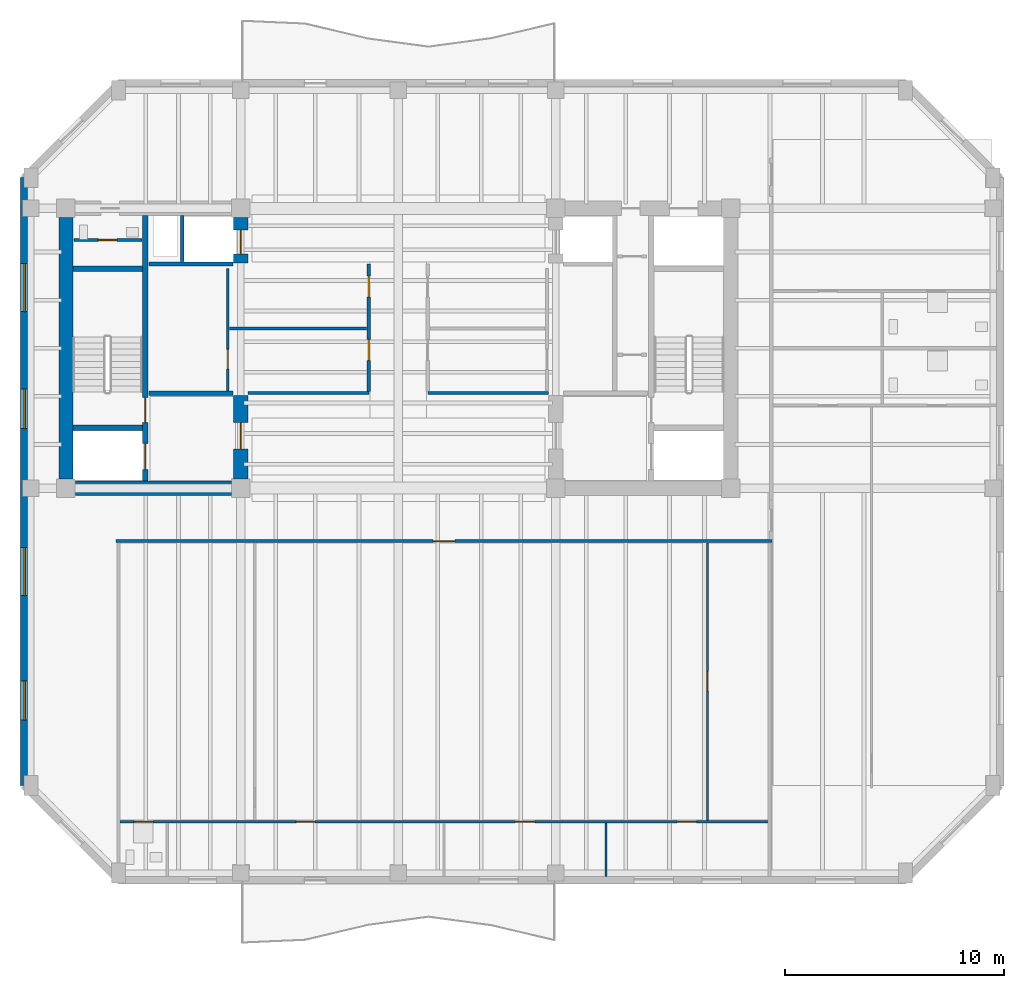
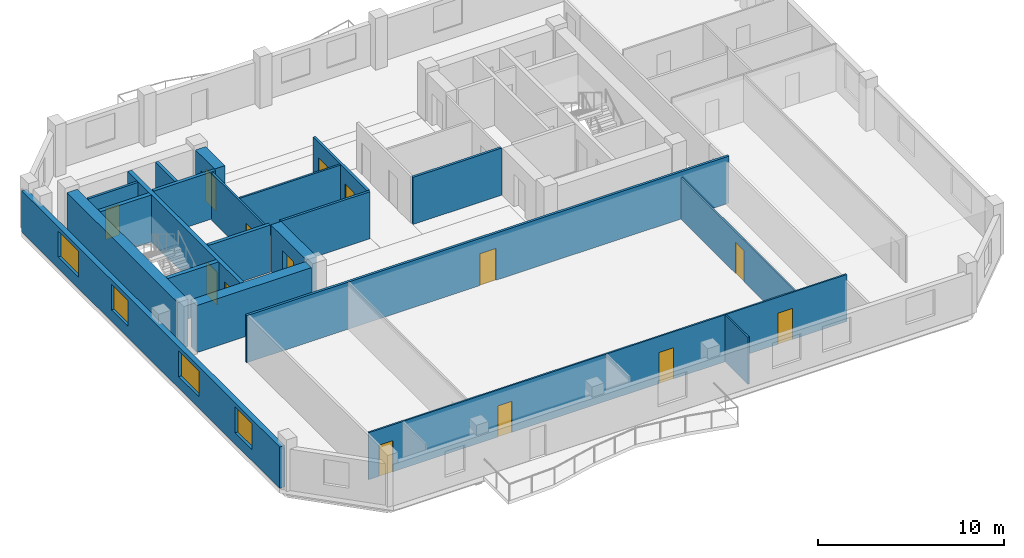
# One storey, part 3 of 9: 21 walls, 14 doors, 4 windows, 18 openings.
"""IFC4 building model written with IfcOpenShell, lengths in metres."""

from ifc_helpers import new_model, si_unit, direction, frame, frame_2d, origin, place, context, subcontext, project, spatial, rectangle, extrude, material, layer, layer_set, type_object, element, fill, save


model = new_model("IFC4")

# Units and contexts
model_context = context("Model", 3, precision=1e-05, world=origin(), true_north=direction((0.0, 1.0)))
body_context = subcontext(model_context, "Body", "Model", "MODEL_VIEW")
ifc_project = project(units=[si_unit("LENGTHUNIT", "METRE"), si_unit("AREAUNIT", "SQUARE_METRE"), si_unit("VOLUMEUNIT", "CUBIC_METRE"), si_unit("PLANEANGLEUNIT", "RADIAN"), si_unit("MASSUNIT", "GRAM", prefix="KILO")], contexts=[model_context])

# Site, building, storey
site_placement = place(None, origin())
site = spatial("IfcSite", under=ifc_project, at=site_placement, CompositionType="ELEMENT")
building_placement = place(site_placement, origin())
building = spatial("IfcBuilding", under=site, at=building_placement, Name="Kranthara Brick Stack", CompositionType="ELEMENT")
storey_placement = place(building_placement, frame((0.0, 0.0, 238.10009765625)))
storey = spatial("IfcBuildingStorey", under=building, at=storey_placement, Name="L62", CompositionType="ELEMENT", Elevation=238.10009765625)

# Wall, openings, windows
ifc_material_1 = material(Name="Warm buff clay brick masonry M15", Category="masonry")
ifc_layer_1 = layer(ifc_material_1, 0.320068359375)
ifc_layer_set_1 = layer_set([ifc_layer_1], Name="Warm buff clay brick masonry M15")
wall_type_1 = type_object("IfcWallType", Name="WL-BRK-UPPR-320", PredefinedType="STANDARD", material=ifc_layer_set_1)
wall_1_placement = place(storey_placement, frame((10.8798828125, 7.199951171875, 0.0), z_axis=(0.0, 0.0, 1.0), x_axis=(0.0, 1.0, 0.0)))
wall_1 = element("IfcWall", 1, at=wall_1_placement, inside=storey, type_object=wall_type_1, Name="L62 Exterior Brick Facade Wall WEST 1", PredefinedType="STANDARD", context=body_context, shape_type="SweptSolid", body=[
    extrude(rectangle(XDim=27.800048828125, YDim=0.320068359375, at=frame_2d((13.89990234375, 0.0))), origin(), (0.0, 0.0, 1.0), 2.724853515625),
])
opening_1_placement = place(wall_1_placement, frame((2.991943359375, 0.0, 0.75)))
opening_1 = element("IfcOpeningElement", 2, at=opening_1_placement, cuts=wall_1, Name="Opening WN07", PredefinedType="OPENING", context=body_context, shape_type="SweptSolid", body=[
    extrude(rectangle(XDim=1.800048828125, YDim=1.699951171875, at=frame_2d((0.89990234375, 0.85009765625))), frame((0.0, 0.169921875, 0.0), z_axis=(0.0, -1.0, 0.0), x_axis=(1.0, 0.0, 0.0)), (0.0, 0.0, 1.0), 0.340087890625),
])
opening_2_placement = place(wall_1_placement, frame((8.68408203125, 0.0, 0.75)))
opening_2 = element("IfcOpeningElement", 3, at=opening_2_placement, cuts=wall_1, Name="Opening WN08", PredefinedType="OPENING", context=body_context, shape_type="SweptSolid", body=[
    extrude(rectangle(XDim=2.199951171875, YDim=1.699951171875, at=frame_2d((1.10009765625, 0.85009765625))), frame((0.0, 0.169921875, 0.0), z_axis=(0.0, -1.0, 0.0), x_axis=(1.0, 0.0, 0.0)), (0.0, 0.0, 1.0), 0.340087890625),
])
opening_3_placement = place(wall_1_placement, frame((16.327880859375, 0.0, 0.75)))
opening_3 = element("IfcOpeningElement", 4, at=opening_3_placement, cuts=wall_1, Name="Opening WN07", PredefinedType="OPENING", context=body_context, shape_type="SweptSolid", body=[
    extrude(rectangle(XDim=1.800048828125, YDim=1.699951171875, at=frame_2d((0.89990234375, 0.85009765625))), frame((0.0, 0.169921875, 0.0), z_axis=(0.0, -1.0, 0.0), x_axis=(1.0, 0.0, 0.0)), (0.0, 0.0, 1.0), 0.340087890625),
])
opening_4_placement = place(wall_1_placement, frame((21.672119140625, 0.0, 0.75)))
opening_4 = element("IfcOpeningElement", 5, at=opening_4_placement, cuts=wall_1, Name="Opening WN08", PredefinedType="OPENING", context=body_context, shape_type="SweptSolid", body=[
    extrude(rectangle(XDim=2.199951171875, YDim=1.699951171875, at=frame_2d((1.10009765625, 0.85009765625))), frame((0.0, 0.169921875, 0.0), z_axis=(0.0, -1.0, 0.0), x_axis=(1.0, 0.0, 0.0)), (0.0, 0.0, 1.0), 0.340087890625),
])
ifc_material_2 = material(Name="Double-glazed low-E solar control glass", Category="glass")
window_type_1 = type_object("IfcWindowType", Name="WN-RES-1800x1850", PartitioningType="DOUBLE_PANEL_VERTICAL", PredefinedType="WINDOW", material=ifc_material_2)
window_1_placement = place(opening_1_placement, origin())
window_1 = element("IfcWindow", 6, at=window_1_placement, inside=storey, type_object=window_type_1, Name="L62 West Deep-Set Brick Window 01", OverallHeight=1.699951171875, OverallWidth=1.800048828125, PartitioningType="SINGLE_PANEL", PredefinedType="WINDOW", context=body_context, shape_type="SweptSolid", body=[
    extrude(rectangle(XDim=1.800048828125, YDim=1.699951171875, at=frame_2d((0.89990234375, 0.85009765625))), frame((0.0, -0.010009765625, 0.0), z_axis=(0.0, -1.0, 0.0), x_axis=(1.0, 0.0, 0.0)), (0.0, 0.0, 1.0), 0.06005859375),
])
fill(opening_1, window_1)
window_2_placement = place(opening_3_placement, origin())
window_2 = element("IfcWindow", 7, at=window_2_placement, inside=storey, type_object=window_type_1, Name="L62 West Deep-Set Brick Window 03", OverallHeight=1.699951171875, OverallWidth=1.800048828125, PartitioningType="SINGLE_PANEL", PredefinedType="WINDOW", context=body_context, shape_type="SweptSolid", body=[
    extrude(rectangle(XDim=1.800048828125, YDim=1.699951171875, at=frame_2d((0.89990234375, 0.85009765625))), frame((0.0, -0.010009765625, 0.0), z_axis=(0.0, -1.0, 0.0), x_axis=(1.0, 0.0, 0.0)), (0.0, 0.0, 1.0), 0.06005859375),
])
fill(opening_3, window_2)
ifc_material_3 = material(Name="Double-glazed low-E solar control glass", Category="glass")
window_type_2 = type_object("IfcWindowType", Name="WN-RES-2200x1850", PartitioningType="TRIPLE_PANEL_VERTICAL", PredefinedType="WINDOW", material=ifc_material_3)
window_3_placement = place(opening_2_placement, origin())
window_3 = element("IfcWindow", 8, at=window_3_placement, inside=storey, type_object=window_type_2, Name="L62 West Deep-Set Brick Window 02", OverallHeight=1.699951171875, OverallWidth=2.199951171875, PartitioningType="SINGLE_PANEL", PredefinedType="WINDOW", context=body_context, shape_type="SweptSolid", body=[
    extrude(rectangle(XDim=2.199951171875, YDim=1.699951171875, at=frame_2d((1.10009765625, 0.85009765625))), frame((0.0, -0.010009765625, 0.0), z_axis=(0.0, -1.0, 0.0), x_axis=(1.0, 0.0, 0.0)), (0.0, 0.0, 1.0), 0.06005859375),
])
fill(opening_2, window_3)
window_4_placement = place(opening_4_placement, origin())
window_4 = element("IfcWindow", 9, at=window_4_placement, inside=storey, type_object=window_type_2, Name="L62 West Deep-Set Brick Window 04", OverallHeight=1.699951171875, OverallWidth=2.199951171875, PartitioningType="SINGLE_PANEL", PredefinedType="WINDOW", context=body_context, shape_type="SweptSolid", body=[
    extrude(rectangle(XDim=2.199951171875, YDim=1.699951171875, at=frame_2d((1.10009765625, 0.85009765625))), frame((0.0, -0.010009765625, 0.0), z_axis=(0.0, -1.0, 0.0), x_axis=(1.0, 0.0, 0.0)), (0.0, 0.0, 1.0), 0.06005859375),
])
fill(opening_4, window_4)

# Wall, openings, doors
ifc_material_4 = material(Name="Concrete C50/60", Category="concrete")
ifc_layer_2 = layer(ifc_material_4, 0.25)
ifc_layer_set_2 = layer_set([ifc_layer_2], Name="Concrete C50/60")
wall_type_2 = type_object("IfcWallType", Name="WL-CORE-250", PredefinedType="SHEAR", material=ifc_layer_set_2)
wall_2_placement = place(storey_placement, frame((16.43505859375, 21.135009765625, 0.0), z_axis=(0.0, 0.0, 1.0), x_axis=(0.0, 1.0, 0.0)))
wall_2 = element("IfcWall", 10, at=wall_2_placement, inside=storey, type_object=wall_type_2, Name="L62 West Core Stair Bearing Spine Wall", PredefinedType="SHEAR", context=body_context, shape_type="SweptSolid", body=[
    extrude(rectangle(XDim=12.1298828125, YDim=0.25, at=frame_2d((6.06494140625, 0.0))), origin(), (0.0, 0.0, 1.0), 3.099853515625),
])
opening_5_placement = place(wall_2_placement, frame((0.514892578125, 0.0, 0.0)))
opening_5 = element("IfcOpeningElement", 11, at=opening_5_placement, cuts=wall_2, Name="Opening LD01", PredefinedType="OPENING", context=body_context, shape_type="SweptSolid", body=[
    extrude(rectangle(XDim=1.199951171875, YDim=2.14990234375, at=frame_2d((0.60009765625, 1.074951171875))), frame((0.0, 0.135009765625, 0.0), z_axis=(0.0, -1.0, 0.0), x_axis=(1.0, 0.0, 0.0)), (0.0, 0.0, 1.0), 0.27001953125),
])
opening_6_placement = place(wall_2_placement, frame((2.6650390625, 0.0, 0.0)))
opening_6 = element("IfcOpeningElement", 12, at=opening_6_placement, cuts=wall_2, Name="Opening D05", PredefinedType="OPENING", context=body_context, shape_type="SweptSolid", body=[
    extrude(rectangle(XDim=1.14990234375, YDim=2.14990234375, at=frame_2d((0.574951171875, 1.074951171875))), frame((0.0, 0.135009765625, 0.0), z_axis=(0.0, -1.0, 0.0), x_axis=(1.0, 0.0, 0.0)), (0.0, 0.0, 1.0), 0.27001953125),
])
ifc_material_5 = material(Name="Stainless steel sliding landing door", Category="steel")
door_type_1 = type_object("IfcDoorType", Name="DR-LD-FF1200", OperationType="DOUBLE_DOOR_SLIDING", PredefinedType="DOOR", material=ifc_material_5)
door_1_placement = place(opening_5_placement, origin())
door_1 = element("IfcDoor", 13, at=door_1_placement, inside=storey, type_object=door_type_1, Name="L62 Firefighting Lift FF-01 Landing Door", OperationType="DOUBLE_DOOR_SLIDING", OverallHeight=2.14990234375, OverallWidth=1.199951171875, PredefinedType="DOOR", context=body_context, shape_type="SweptSolid", body=[
    extrude(rectangle(XDim=1.199951171875, YDim=2.14990234375, at=frame_2d((0.60009765625, 1.074951171875))), frame((0.0, 0.02490234375, 0.0), z_axis=(0.0, -1.0, 0.0), x_axis=(1.0, 0.0, 0.0)), (0.0, 0.0, 1.0), 0.050048828125),
])
fill(opening_5, door_1)
ifc_material_6 = material(Name="Solid-core hardwood timber leaf in steel frame", Category="steel")
door_type_2 = type_object("IfcDoorType", Name="DR-ST-1150", OperationType="NOTDEFINED", PredefinedType="DOOR", material=ifc_material_6)
door_2_placement = place(opening_6_placement, origin())
door_2 = element("IfcDoor", 14, at=door_2_placement, inside=storey, type_object=door_type_2, Name="L62 Exit Stair ST01 Door", OperationType="SINGLE_SWING_RIGHT", OverallHeight=2.14990234375, OverallWidth=1.14990234375, PredefinedType="DOOR", context=body_context, shape_type="SweptSolid", body=[
    extrude(rectangle(XDim=1.14990234375, YDim=2.14990234375, at=frame_2d((0.574951171875, 1.074951171875))), frame((0.0, 0.02490234375, 0.0), z_axis=(0.0, -1.0, 0.0), x_axis=(1.0, 0.0, 0.0)), (0.0, 0.0, 1.0), 0.050048828125),
])
fill(opening_6, door_2)

# Walls
for number, where, z_axis, x_axis, name in (
    (15, (13.135009765625, 23.570068359375, 0.0), (0.0, 0.0, 1.0), (1.0, 0.0, 0.0), "L62 West Stairwell Bearing Wall WFF"),
    (16, (13.135009765625, 30.830078125, 0.0), (0.0, 0.0, 1.0), (1.0, 0.0, 0.0), "L62 West Stairwell Bearing Wall WST"),
):
    element("IfcWall", number, at=place(storey_placement, frame(where, z_axis=z_axis, x_axis=x_axis)), inside=storey, type_object=wall_type_2, Name=name, PredefinedType="SHEAR", context=body_context, shape_type="SweptSolid", body=[
        extrude(rectangle(XDim=3.175048828125, YDim=0.25, at=frame_2d((1.58740234375, 0.0))), origin(), (0.0, 0.0, 1.0), 3.099853515625),
    ])
ifc_material_7 = material(Name="Concrete C60/75", Category="concrete")
ifc_layer_3 = layer(ifc_material_7, 0.64990234375)
ifc_layer_set_3 = layer_set([ifc_layer_3], Name="Concrete C60/75")
wall_type_3 = type_object("IfcWallType", Name="WL-CORE-650", PredefinedType="SHEAR", material=ifc_layer_set_3)
wall_3_placement = place(storey_placement, frame((12.800048828125, 21.22998046875, 0.0), z_axis=(0.0, 0.0, 1.0), x_axis=(0.0, 1.0, 0.0)))
element("IfcWall", 17, at=wall_3_placement, inside=storey, type_object=wall_type_3, Name="L62 West Core Shear Wall West", PredefinedType="SHEAR", context=body_context, shape_type="SweptSolid", body=[
    extrude(rectangle(XDim=11.93994140625, YDim=0.64990234375, at=frame_2d((5.969970703125, 0.0))), origin(), (0.0, 0.0, 1.0), 3.099853515625),
])
wall_4_placement = place(storey_placement, frame((13.22998046875, 20.800048828125, 0.0), z_axis=(0.0, 0.0, 1.0), x_axis=(1.0, 0.0, 0.0)))
element("IfcWall", 18, at=wall_4_placement, inside=storey, type_object=wall_type_3, Name="L62 West Core Shear Wall South", PredefinedType="SHEAR", context=body_context, shape_type="SweptSolid", body=[
    extrude(rectangle(XDim=7.14013671875, YDim=0.64990234375, at=frame_2d((3.570068359375, 0.0))), origin(), (0.0, 0.0, 1.0), 3.099853515625),
])

# Wall, opening, door
wall_5_placement = place(storey_placement, frame((20.800048828125, 21.22998046875, 0.0), z_axis=(0.0, 0.0, 1.0), x_axis=(0.0, 1.0, 0.0)))
wall_5 = element("IfcWall", 19, at=wall_5_placement, inside=storey, type_object=wall_type_3, Name="L62 West Core Lobby Shear Wall", PredefinedType="SHEAR", context=body_context, shape_type="SweptSolid", body=[
    extrude(rectangle(XDim=3.820068359375, YDim=0.64990234375, at=frame_2d((1.91015625, 0.0))), origin(), (0.0, 0.0, 1.0), 3.099853515625),
])
opening_7_placement = place(wall_5_placement, frame((1.3701171875, 0.0, 0.0)))
opening_7 = element("IfcOpeningElement", 20, at=opening_7_placement, cuts=wall_5, Name="Opening D06", PredefinedType="OPENING", context=body_context, shape_type="SweptSolid", body=[
    extrude(rectangle(XDim=1.199951171875, YDim=2.14990234375, at=frame_2d((0.60009765625, 1.074951171875))), frame((0.0, 0.3349609375, 0.0), z_axis=(0.0, -1.0, 0.0), x_axis=(1.0, 0.0, 0.0)), (0.0, 0.0, 1.0), 0.669921875),
])
ifc_material_8 = material(Name="Solid-core hardwood timber leaf in steel frame", Category="steel")
door_type_3 = type_object("IfcDoorType", Name="DR-FFL-1200", OperationType="NOTDEFINED", PredefinedType="DOOR", material=ifc_material_8)
door_3_placement = place(opening_7_placement, origin())
door_3 = element("IfcDoor", 21, at=door_3_placement, inside=storey, type_object=door_type_3, Name="L62 West Firefighting Lobby Door", OperationType="SINGLE_SWING_LEFT", OverallHeight=2.14990234375, OverallWidth=1.199951171875, PredefinedType="DOOR", context=body_context, shape_type="SweptSolid", body=[
    extrude(rectangle(XDim=1.199951171875, YDim=2.14990234375, at=frame_2d((0.60009765625, 1.074951171875))), frame((0.0, 0.02490234375, 0.0), z_axis=(0.0, -1.0, 0.0), x_axis=(1.0, 0.0, 0.0)), (0.0, 0.0, 1.0), 0.050048828125),
])
fill(opening_7, door_3)

wall_6_placement = place(storey_placement, frame((20.800048828125, 31.10009765625, 0.0), z_axis=(0.0, 0.0, 1.0), x_axis=(0.0, 1.0, 0.0)))
wall_6 = element("IfcWall", 22, at=wall_6_placement, inside=storey, type_object=wall_type_3, Name="L62 West Core High-Rise Lift Wall", PredefinedType="SHEAR", context=body_context, shape_type="SweptSolid", body=[
    extrude(rectangle(XDim=2.06982421875, YDim=0.64990234375, at=frame_2d((1.034912109375, 0.0))), origin(), (0.0, 0.0, 1.0), 3.099853515625),
])
opening_8_placement = place(wall_6_placement, frame((0.39990234375, 0.0, 0.0)))
opening_8 = element("IfcOpeningElement", 23, at=opening_8_placement, cuts=wall_6, Name="Opening LD02", PredefinedType="OPENING", context=body_context, shape_type="SweptSolid", body=[
    extrude(rectangle(XDim=1.10009765625, YDim=2.10009765625, at=frame_2d((0.550048828125, 1.050048828125))), frame((0.0, 0.3349609375, 0.0), z_axis=(0.0, -1.0, 0.0), x_axis=(1.0, 0.0, 0.0)), (0.0, 0.0, 1.0), 0.669921875),
])
ifc_material_9 = material(Name="Stainless steel sliding landing door", Category="steel")
door_type_4 = type_object("IfcDoorType", Name="DR-LD-PL1100", OperationType="DOUBLE_DOOR_SLIDING", PredefinedType="DOOR", material=ifc_material_9)
door_4_placement = place(opening_8_placement, origin())
door_4 = element("IfcDoor", 24, at=door_4_placement, inside=storey, type_object=door_type_4, Name="L62 PL-07 Lift Landing Door", OperationType="DOUBLE_DOOR_SLIDING", OverallHeight=2.10009765625, OverallWidth=1.10009765625, PredefinedType="DOOR", context=body_context, shape_type="SweptSolid", body=[
    extrude(rectangle(XDim=1.10009765625, YDim=2.10009765625, at=frame_2d((0.550048828125, 1.050048828125))), frame((0.0, 0.02490234375, 0.0), z_axis=(0.0, -1.0, 0.0), x_axis=(1.0, 0.0, 0.0)), (0.0, 0.0, 1.0), 0.050048828125),
])
fill(opening_8, door_4)

# Wall, openings, doors
ifc_material_10 = material(Name="Moisture-resistant wet-room partition", Category="other")
ifc_layer_4 = layer(ifc_material_10, 0.10009765625)
ifc_layer_set_4 = layer_set([ifc_layer_4], Name="Moisture-resistant wet-room partition")
wall_type_4 = type_object("IfcWallType", Name="WL-PART-100", PredefinedType="PARTITIONING", material=ifc_layer_set_4)
wall_7_placement = place(storey_placement, frame((15.280029296875, 5.550048828125, 0.0), z_axis=(0.0, 0.0, 1.0), x_axis=(1.0, 0.0, 0.0)))
wall_7 = element("IfcWall", 25, at=wall_7_placement, inside=storey, type_object=wall_type_4, Name="L62 Interior Partition 014", PredefinedType="PARTITIONING", context=body_context, shape_type="SweptSolid", body=[
    extrude(rectangle(XDim=29.739990234375, YDim=0.10009765625, at=frame_2d((14.8701171875, 0.0))), origin(), (0.0, 0.0, 1.0), 3.099853515625),
])
opening_9_placement = place(wall_7_placement, frame((0.64990234375, 0.0, 0.0)))
opening_9 = element("IfcOpeningElement", 26, at=opening_9_placement, cuts=wall_7, Name="Opening D17", PredefinedType="OPENING", context=body_context, shape_type="SweptSolid", body=[
    extrude(rectangle(XDim=0.85009765625, YDim=2.050048828125, at=frame_2d((0.425048828125, 1.02490234375))), frame((0.0, 0.06005859375, 0.0), z_axis=(0.0, -1.0, 0.0), x_axis=(1.0, 0.0, 0.0)), (0.0, 0.0, 1.0), 0.1201171875),
])
opening_10_placement = place(wall_7_placement, frame((8.054931640625, 0.0, 0.0)))
opening_10 = element("IfcOpeningElement", 27, at=opening_10_placement, cuts=wall_7, Name="Opening D16", PredefinedType="OPENING", context=body_context, shape_type="SweptSolid", body=[
    extrude(rectangle(XDim=0.85009765625, YDim=2.050048828125, at=frame_2d((0.425048828125, 1.02490234375))), frame((0.0, 0.06005859375, 0.0), z_axis=(0.0, -1.0, 0.0), x_axis=(1.0, 0.0, 0.0)), (0.0, 0.0, 1.0), 0.1201171875),
])
opening_11_placement = place(wall_7_placement, frame((18.06201171875, 0.0, 0.0)))
opening_11 = element("IfcOpeningElement", 28, at=opening_11_placement, cuts=wall_7, Name="Opening D15", PredefinedType="OPENING", context=body_context, shape_type="SweptSolid", body=[
    extrude(rectangle(XDim=0.89990234375, YDim=2.050048828125, at=frame_2d((0.449951171875, 1.02490234375))), frame((0.0, 0.06005859375, 0.0), z_axis=(0.0, -1.0, 0.0), x_axis=(1.0, 0.0, 0.0)), (0.0, 0.0, 1.0), 0.1201171875),
])
opening_12_placement = place(wall_7_placement, frame((25.468017578125, 0.0, 0.0)))
opening_12 = element("IfcOpeningElement", 29, at=opening_12_placement, cuts=wall_7, Name="Opening D15", PredefinedType="OPENING", context=body_context, shape_type="SweptSolid", body=[
    extrude(rectangle(XDim=0.89990234375, YDim=2.050048828125, at=frame_2d((0.449951171875, 1.02490234375))), frame((0.0, 0.06005859375, 0.0), z_axis=(0.0, -1.0, 0.0), x_axis=(1.0, 0.0, 0.0)), (0.0, 0.0, 1.0), 0.1201171875),
])
ifc_material_11 = material(Name="Solid-core hardwood timber leaf in steel frame", Category="steel")
door_type_5 = type_object("IfcDoorType", Name="DR-INT-850", OperationType="NOTDEFINED", PredefinedType="DOOR", material=ifc_material_11)
door_5_placement = place(opening_10_placement, origin())
door_5 = element("IfcDoor", 30, at=door_5_placement, inside=storey, type_object=door_type_5, Name="L62 Unit L62A Kitchen 14", OperationType="SINGLE_SWING_RIGHT", OverallHeight=2.050048828125, OverallWidth=0.85009765625, PredefinedType="DOOR", context=body_context, shape_type="SweptSolid", body=[
    extrude(rectangle(XDim=0.85009765625, YDim=2.050048828125, at=frame_2d((0.425048828125, 1.02490234375))), frame((0.0, 0.02490234375, 0.0), z_axis=(0.0, -1.0, 0.0), x_axis=(1.0, 0.0, 0.0)), (0.0, 0.0, 1.0), 0.050048828125),
])
fill(opening_10, door_5)
ifc_material_12 = material(Name="Solid-core hardwood timber leaf in steel frame", Category="steel")
door_type_6 = type_object("IfcDoorType", Name="DR-INT-900", OperationType="NOTDEFINED", PredefinedType="DOOR", material=ifc_material_12)
door_6_placement = place(opening_11_placement, origin())
door_6 = element("IfcDoor", 31, at=door_6_placement, inside=storey, type_object=door_type_6, Name="L62 Unit L62A Master Bedroom 15", OperationType="SINGLE_SWING_LEFT", OverallHeight=2.050048828125, OverallWidth=0.89990234375, PredefinedType="DOOR", context=body_context, shape_type="SweptSolid", body=[
    extrude(rectangle(XDim=0.89990234375, YDim=2.050048828125, at=frame_2d((0.449951171875, 1.02490234375))), frame((0.0, 0.02490234375, 0.0), z_axis=(0.0, -1.0, 0.0), x_axis=(1.0, 0.0, 0.0)), (0.0, 0.0, 1.0), 0.050048828125),
])
fill(opening_11, door_6)
door_7_placement = place(opening_12_placement, origin())
door_7 = element("IfcDoor", 32, at=door_7_placement, inside=storey, type_object=door_type_6, Name="L62 Unit L62A Bedroom 2 16", OperationType="SINGLE_SWING_RIGHT", OverallHeight=2.050048828125, OverallWidth=0.89990234375, PredefinedType="DOOR", context=body_context, shape_type="SweptSolid", body=[
    extrude(rectangle(XDim=0.89990234375, YDim=2.050048828125, at=frame_2d((0.449951171875, 1.02490234375))), frame((0.0, 0.02490234375, 0.0), z_axis=(0.0, -1.0, 0.0), x_axis=(1.0, 0.0, 0.0)), (0.0, 0.0, 1.0), 0.050048828125),
])
fill(opening_12, door_7)
ifc_material_13 = material(Name="Solid-core hardwood timber leaf in steel frame", Category="steel")
door_type_7 = type_object("IfcDoorType", Name="DR-WET-850", OperationType="NOTDEFINED", PredefinedType="DOOR", material=ifc_material_13)
door_8_placement = place(opening_9_placement, origin())
door_8 = element("IfcDoor", 33, at=door_8_placement, inside=storey, type_object=door_type_7, Name="L62 Unit L62A Bathroom 13", OperationType="SINGLE_SWING_LEFT", OverallHeight=2.050048828125, OverallWidth=0.85009765625, PredefinedType="DOOR", context=body_context, shape_type="SweptSolid", body=[
    extrude(rectangle(XDim=0.85009765625, YDim=2.050048828125, at=frame_2d((0.425048828125, 1.02490234375))), frame((0.0, 0.02490234375, 0.0), z_axis=(0.0, -1.0, 0.0), x_axis=(1.0, 0.0, 0.0)), (0.0, 0.0, 1.0), 0.050048828125),
])
fill(opening_9, door_8)

# Wall, opening, door
wall_8_placement = place(storey_placement, frame((42.137939453125, 5.60498046875, 0.0), z_axis=(0.0, 0.0, 1.0), x_axis=(0.0, 1.0, 0.0)))
wall_8 = element("IfcWall", 34, at=wall_8_placement, inside=storey, type_object=wall_type_4, Name="L62 Interior Partition 015", PredefinedType="PARTITIONING", context=body_context, shape_type="SweptSolid", body=[
    extrude(rectangle(XDim=12.695068359375, YDim=0.10009765625, at=frame_2d((6.34765625, 0.0))), origin(), (0.0, 0.0, 1.0), 2.724853515625),
])
opening_13_placement = place(wall_8_placement, frame((5.909912109375, 0.0, 0.0)))
opening_13 = element("IfcOpeningElement", 35, at=opening_13_placement, cuts=wall_8, Name="Opening D15", PredefinedType="OPENING", context=body_context, shape_type="SweptSolid", body=[
    extrude(rectangle(XDim=0.89990234375, YDim=2.050048828125, at=frame_2d((0.449951171875, 1.02490234375))), frame((0.0, 0.06005859375, 0.0), z_axis=(0.0, -1.0, 0.0), x_axis=(1.0, 0.0, 0.0)), (0.0, 0.0, 1.0), 0.1201171875),
])
door_9_placement = place(opening_13_placement, origin())
door_9 = element("IfcDoor", 36, at=door_9_placement, inside=storey, type_object=door_type_6, Name="L62 Unit L62A Bedroom 3 11", OperationType="SINGLE_SWING_LEFT", OverallHeight=2.050048828125, OverallWidth=0.89990234375, PredefinedType="DOOR", context=body_context, shape_type="SweptSolid", body=[
    extrude(rectangle(XDim=0.89990234375, YDim=2.050048828125, at=frame_2d((0.449951171875, 1.02490234375))), frame((0.0, 0.02490234375, 0.0), z_axis=(0.0, -1.0, 0.0), x_axis=(1.0, 0.0, 0.0)), (0.0, 0.0, 1.0), 0.050048828125),
])
fill(opening_13, door_9)

# Wall
wall_9_placement = place(storey_placement, frame((37.4951171875, 3.044921875, 0.0), z_axis=(0.0, 0.0, 1.0), x_axis=(0.0, 1.0, 0.0)))
element("IfcWall", 37, at=wall_9_placement, inside=storey, type_object=wall_type_4, Name="L62 Interior Partition 019", PredefinedType="PARTITIONING", context=body_context, shape_type="SweptSolid", body=[
    extrude(rectangle(XDim=2.4501953125, YDim=0.10009765625, at=frame_2d((1.22509765625, 0.0))), origin(), (0.0, 0.0, 1.0), 3.099853515625),
])

# Wall, opening, door
ifc_material_14 = material(Name="Acoustic gypsum plasterboard partition", Category="other")
ifc_layer_5 = layer(ifc_material_14, 0.1201171875)
ifc_layer_set_5 = layer_set([ifc_layer_5], Name="Acoustic gypsum plasterboard partition")
wall_type_5 = type_object("IfcWallType", Name="WL-PART-120", PredefinedType="PARTITIONING", material=ifc_layer_set_5)
wall_10_placement = place(storey_placement, frame((20.199951171875, 25.2548828125, 0.0), z_axis=(0.0, 0.0, 1.0), x_axis=(0.0, 1.0, 0.0)))
wall_10 = element("IfcWall", 38, at=wall_10_placement, inside=storey, type_object=wall_type_5, Name="L62 Interior Partition 007", PredefinedType="PARTITIONING", context=body_context, shape_type="SweptSolid", body=[
    extrude(rectangle(XDim=5.59521484375, YDim=0.1201171875, at=frame_2d((2.797607421875, 0.0))), origin(), (0.0, 0.0, 1.0), 3.099853515625),
])
opening_14_placement = place(wall_10_placement, frame((0.9951171875, 0.0, 0.0)))
opening_14 = element("IfcOpeningElement", 39, at=opening_14_placement, cuts=wall_10, Name="Opening D15", PredefinedType="OPENING", context=body_context, shape_type="SweptSolid", body=[
    extrude(rectangle(XDim=0.89990234375, YDim=2.050048828125, at=frame_2d((0.449951171875, 1.02490234375))), frame((0.0, 0.070068359375, 0.0), z_axis=(0.0, -1.0, 0.0), x_axis=(1.0, 0.0, 0.0)), (0.0, 0.0, 1.0), 0.14013671875),
])
door_10_placement = place(opening_14_placement, origin())
door_10 = element("IfcDoor", 40, at=door_10_placement, inside=storey, type_object=door_type_6, Name="L62 Music Room Door 04", OperationType="SINGLE_SWING_RIGHT", OverallHeight=2.050048828125, OverallWidth=0.89990234375, PredefinedType="DOOR", context=body_context, shape_type="SweptSolid", body=[
    extrude(rectangle(XDim=0.89990234375, YDim=2.050048828125, at=frame_2d((0.449951171875, 1.02490234375))), frame((0.0, 0.02490234375, 0.0), z_axis=(0.0, -1.0, 0.0), x_axis=(1.0, 0.0, 0.0)), (0.0, 0.0, 1.0), 0.050048828125),
])
fill(opening_14, door_10)

# Wall
wall_11_placement = place(storey_placement, frame((20.280029296875, 28.10009765625, 0.0), z_axis=(0.0, 0.0, 1.0), x_axis=(1.0, 0.0, 0.0)))
element("IfcWall", 41, at=wall_11_placement, inside=storey, type_object=wall_type_5, Name="L62 Interior Partition 008", PredefinedType="PARTITIONING", context=body_context, shape_type="SweptSolid", body=[
    extrude(rectangle(XDim=6.27001953125, YDim=0.1201171875, at=frame_2d((3.135009765625, 0.0))), origin(), (0.0, 0.0, 1.0), 3.099853515625),
])

# Wall, opening, door
ifc_material_15 = material(Name="Fire-rated gypsum board partition", Category="other")
ifc_layer_6 = layer(ifc_material_15, 0.14990234375)
ifc_layer_set_6 = layer_set([ifc_layer_6], Name="Fire-rated gypsum board partition")
wall_type_6 = type_object("IfcWallType", Name="WL-PART-150", PredefinedType="PARTITIONING", material=ifc_layer_set_6)
wall_12_placement = place(storey_placement, frame((13.179931640625, 32.14990234375, 0.0), z_axis=(0.0, 0.0, 1.0), x_axis=(1.0, 0.0, 0.0)))
wall_12 = element("IfcWall", 42, at=wall_12_placement, inside=storey, type_object=wall_type_6, Name="L62 Interior Partition 001", PredefinedType="PARTITIONING", context=body_context, shape_type="SweptSolid", body=[
    extrude(rectangle(XDim=3.10009765625, YDim=0.14990234375, at=frame_2d((1.550048828125, 0.0))), origin(), (0.0, 0.0, 1.0), 3.099853515625),
])
opening_15_placement = place(wall_12_placement, frame((1.10009765625, 0.0, 0.0)))
opening_15 = element("IfcOpeningElement", 43, at=opening_15_placement, cuts=wall_12, Name="Opening D10", PredefinedType="OPENING", context=body_context, shape_type="SweptSolid", body=[
    extrude(rectangle(XDim=0.85009765625, YDim=2.02001953125, at=frame_2d((0.425048828125, 1.010009765625))), frame((0.0, 0.0849609375, 0.0), z_axis=(0.0, -1.0, 0.0), x_axis=(1.0, 0.0, 0.0)), (0.0, 0.0, 1.0), 0.169921875),
])
ifc_material_16 = material(Name="Solid-core hardwood timber leaf in steel frame", Category="steel")
door_type_8 = type_object("IfcDoorType", Name="DR-RSR-850", OperationType="NOTDEFINED", PredefinedType="DOOR", material=ifc_material_16)
door_11_placement = place(opening_15_placement, origin())
door_11 = element("IfcDoor", 44, at=door_11_placement, inside=storey, type_object=door_type_8, Name="L62 West Inner Riser Door 01", OperationType="SINGLE_SWING_LEFT", OverallHeight=2.02001953125, OverallWidth=0.85009765625, PredefinedType="DOOR", context=body_context, shape_type="SweptSolid", body=[
    extrude(rectangle(XDim=0.85009765625, YDim=2.02001953125, at=frame_2d((0.425048828125, 1.010009765625))), frame((0.0, 0.02490234375, 0.0), z_axis=(0.0, -1.0, 0.0), x_axis=(1.0, 0.0, 0.0)), (0.0, 0.0, 1.0), 0.050048828125),
])
fill(opening_15, door_11)

# Walls
for number, where, z_axis, x_axis, name in (
    (45, (21.1298828125, 25.14990234375, 0.0), (0.0, 0.0, 1.0), (1.0, 0.0, 0.0), "L62 Interior Partition 004"),
    (46, (29.35009765625, 25.14990234375, 0.0), (0.0, 0.0, 1.0), (1.0, 0.0, 0.0), "L62 Interior Partition 005"),
):
    element("IfcWall", number, at=place(storey_placement, frame(where, z_axis=z_axis, x_axis=x_axis)), inside=storey, type_object=wall_type_6, Name=name, PredefinedType="PARTITIONING", context=body_context, shape_type="SweptSolid", body=[
        extrude(rectangle(XDim=5.52001953125, YDim=0.14990234375, at=frame_2d((2.760009765625, 0.0))), origin(), (0.0, 0.0, 1.0), 3.099853515625),
    ])

# Wall, openings, doors
wall_13_placement = place(storey_placement, frame((26.64990234375, 25.22998046875, 0.0), z_axis=(0.0, 0.0, 1.0), x_axis=(0.0, 1.0, 0.0)))
wall_13 = element("IfcWall", 47, at=wall_13_placement, inside=storey, type_object=wall_type_6, Name="L62 Interior Partition 006", PredefinedType="PARTITIONING", context=body_context, shape_type="SweptSolid", body=[
    extrude(rectangle(XDim=5.820068359375, YDim=0.14990234375, at=frame_2d((2.91015625, 0.0))), origin(), (0.0, 0.0, 1.0), 3.099853515625),
])
opening_16_placement = place(wall_13_placement, frame((1.419921875, 0.0, 0.0)))
opening_16 = element("IfcOpeningElement", 48, at=opening_16_placement, cuts=wall_13, Name="Opening D09", PredefinedType="OPENING", context=body_context, shape_type="SweptSolid", body=[
    extrude(rectangle(XDim=0.949951171875, YDim=2.10009765625, at=frame_2d((0.47509765625, 1.050048828125))), frame((0.0, 0.0849609375, 0.0), z_axis=(0.0, -1.0, 0.0), x_axis=(1.0, 0.0, 0.0)), (0.0, 0.0, 1.0), 0.169921875),
])
opening_17_placement = place(wall_13_placement, frame((4.320068359375, 0.0, 0.0)))
opening_17 = element("IfcOpeningElement", 49, at=opening_17_placement, cuts=wall_13, Name="Opening D09", PredefinedType="OPENING", context=body_context, shape_type="SweptSolid", body=[
    extrude(rectangle(XDim=0.949951171875, YDim=2.10009765625, at=frame_2d((0.47509765625, 1.050048828125))), frame((0.0, 0.0849609375, 0.0), z_axis=(0.0, -1.0, 0.0), x_axis=(1.0, 0.0, 0.0)), (0.0, 0.0, 1.0), 0.169921875),
])
ifc_material_17 = material(Name="Solid-core hardwood timber leaf in steel frame", Category="steel")
door_type_9 = type_object("IfcDoorType", Name="DR-FD-950", OperationType="NOTDEFINED", PredefinedType="DOOR", material=ifc_material_17)
door_12_placement = place(opening_16_placement, origin())
door_12 = element("IfcDoor", 50, at=door_12_placement, inside=storey, type_object=door_type_9, Name="L62 Sky Club Reading Room 05", OperationType="SINGLE_SWING_LEFT", OverallHeight=2.10009765625, OverallWidth=0.949951171875, PredefinedType="DOOR", context=body_context, shape_type="SweptSolid", body=[
    extrude(rectangle(XDim=0.949951171875, YDim=2.10009765625, at=frame_2d((0.47509765625, 1.050048828125))), frame((0.0, 0.02490234375, 0.0), z_axis=(0.0, -1.0, 0.0), x_axis=(1.0, 0.0, 0.0)), (0.0, 0.0, 1.0), 0.050048828125),
])
fill(opening_16, door_12)
door_13_placement = place(opening_17_placement, origin())
door_13 = element("IfcDoor", 51, at=door_13_placement, inside=storey, type_object=door_type_9, Name="L62 Sky Club Card Salon 06", OperationType="SINGLE_SWING_RIGHT", OverallHeight=2.10009765625, OverallWidth=0.949951171875, PredefinedType="DOOR", context=body_context, shape_type="SweptSolid", body=[
    extrude(rectangle(XDim=0.949951171875, YDim=2.10009765625, at=frame_2d((0.47509765625, 1.050048828125))), frame((0.0, 0.02490234375, 0.0), z_axis=(0.0, -1.0, 0.0), x_axis=(1.0, 0.0, 0.0)), (0.0, 0.0, 1.0), 0.050048828125),
])
fill(opening_17, door_13)

# Wall, opening, door
wall_14_placement = place(storey_placement, frame((15.080078125, 18.3798828125, 0.0), z_axis=(0.0, 0.0, 1.0), x_axis=(1.0, 0.0, 0.0)))
wall_14 = element("IfcWall", 52, at=wall_14_placement, inside=storey, type_object=wall_type_6, Name="L62 Interior Partition 012", PredefinedType="PARTITIONING", context=body_context, shape_type="SweptSolid", body=[
    extrude(rectangle(XDim=30.02001953125, YDim=0.14990234375, at=frame_2d((15.010009765625, 0.0))), origin(), (0.0, 0.0, 1.0), 3.099853515625),
])
opening_18_placement = place(wall_14_placement, frame((14.510009765625, 0.0, 0.0)))
opening_18 = element("IfcOpeningElement", 53, at=opening_18_placement, cuts=wall_14, Name="Opening D08", PredefinedType="OPENING", context=body_context, shape_type="SweptSolid", body=[
    extrude(rectangle(XDim=1.0, YDim=2.10009765625, at=frame_2d((0.5, 1.050048828125))), frame((0.0, 0.0849609375, 0.0), z_axis=(0.0, -1.0, 0.0), x_axis=(1.0, 0.0, 0.0)), (0.0, 0.0, 1.0), 0.169921875),
])
ifc_material_18 = material(Name="Solid-core hardwood timber leaf in steel frame", Category="steel")
door_type_10 = type_object("IfcDoorType", Name="DR-FD-1000", OperationType="NOTDEFINED", PredefinedType="DOOR", material=ifc_material_18)
door_14_placement = place(opening_18_placement, origin())
door_14 = element("IfcDoor", 54, at=door_14_placement, inside=storey, type_object=door_type_10, Name="L62 Unit L62A Entrance 10", OperationType="SINGLE_SWING_RIGHT", OverallHeight=2.10009765625, OverallWidth=1.0, PredefinedType="DOOR", context=body_context, shape_type="SweptSolid", body=[
    extrude(rectangle(XDim=1.0, YDim=2.10009765625, at=frame_2d((0.5, 1.050048828125))), frame((0.0, 0.02490234375, 0.0), z_axis=(0.0, -1.0, 0.0), x_axis=(1.0, 0.0, 0.0)), (0.0, 0.0, 1.0), 0.050048828125),
])
fill(opening_18, door_14)

# Walls
ifc_material_19 = material(Name="Gypsum plasterboard on acoustic twin stud", Category="other")
ifc_layer_7 = layer(ifc_material_19, 0.179931640625)
ifc_layer_set_7 = layer_set([ifc_layer_7], Name="Gypsum plasterboard on acoustic twin stud")
wall_type_7 = type_object("IfcWallType", Name="WL-PART-180", PredefinedType="PARTITIONING", material=ifc_layer_set_7)
wall_15_placement = place(storey_placement, frame((18.1201171875, 31.169921875, 0.0), z_axis=(0.0, 0.0, 1.0), x_axis=(0.0, 1.0, 0.0)))
element("IfcWall", 55, at=wall_15_placement, inside=storey, type_object=wall_type_7, Name="L62 PL-07 Shaft Back Wall", PredefinedType="PARTITIONING", context=body_context, shape_type="SweptSolid", body=[
    extrude(rectangle(XDim=2.094970703125, YDim=0.179931640625, at=frame_2d((1.04736328125, 0.0))), origin(), (0.0, 0.0, 1.0), 3.099853515625),
])
ifc_material_20 = material(Name="Concrete C40/50", Category="concrete")
ifc_layer_8 = layer(ifc_material_20, 0.199951171875)
ifc_layer_set_8 = layer_set([ifc_layer_8], Name="Concrete C40/50")
wall_type_8 = type_object("IfcWallType", Name="WL-PART-200", PredefinedType="SOLIDWALL", material=ifc_layer_set_8)
for number, where, z_axis, x_axis, name in (
    (56, (16.60009765625, 25.14990234375, 0.0), (0.0, 0.0, 1.0), (1.0, 0.0, 0.0), "L62 West Core Cross Wall WFL"),
    (57, (16.60009765625, 31.050048828125, 0.0), (0.0, 0.0, 1.0), (1.0, 0.0, 0.0), "L62 West Core Cross Wall WH4"),
):
    element("IfcWall", number, at=place(storey_placement, frame(where, z_axis=z_axis, x_axis=x_axis)), inside=storey, type_object=wall_type_8, Name=name, PredefinedType="SOLIDWALL", context=body_context, shape_type="SweptSolid", body=[
        extrude(rectangle(XDim=3.849853515625, YDim=0.199951171875, at=frame_2d((1.9248046875, 0.0))), origin(), (0.0, 0.0, 1.0), 3.099853515625),
    ])

save(model, "model.ifc")
